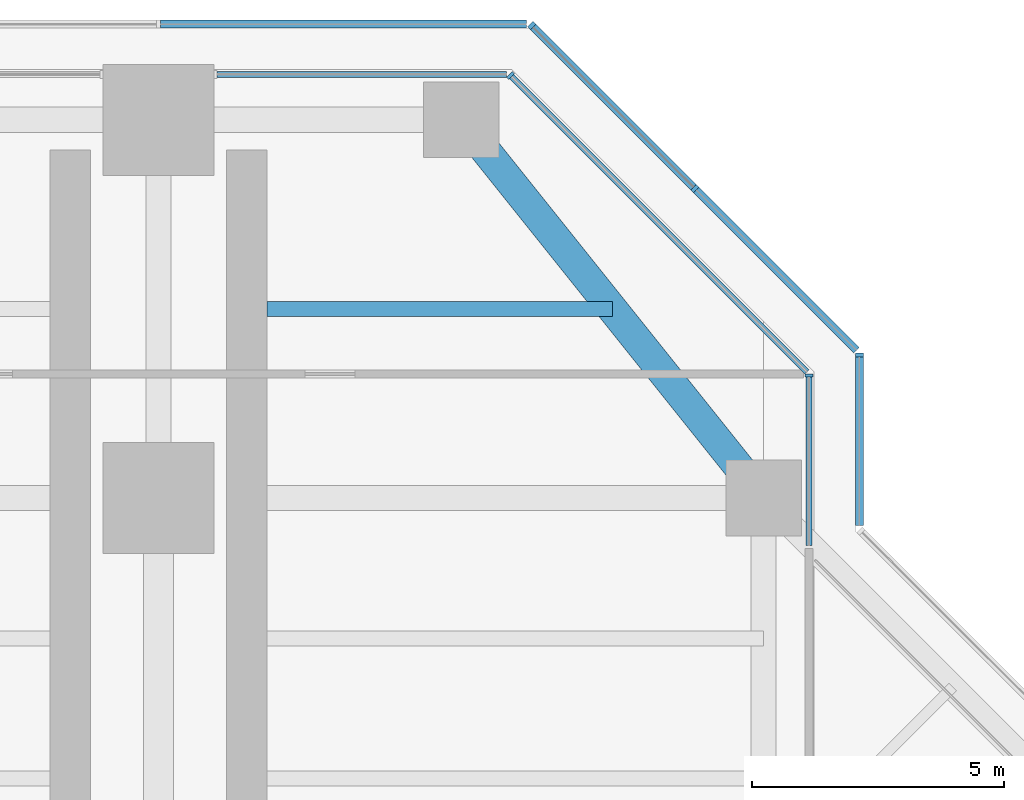
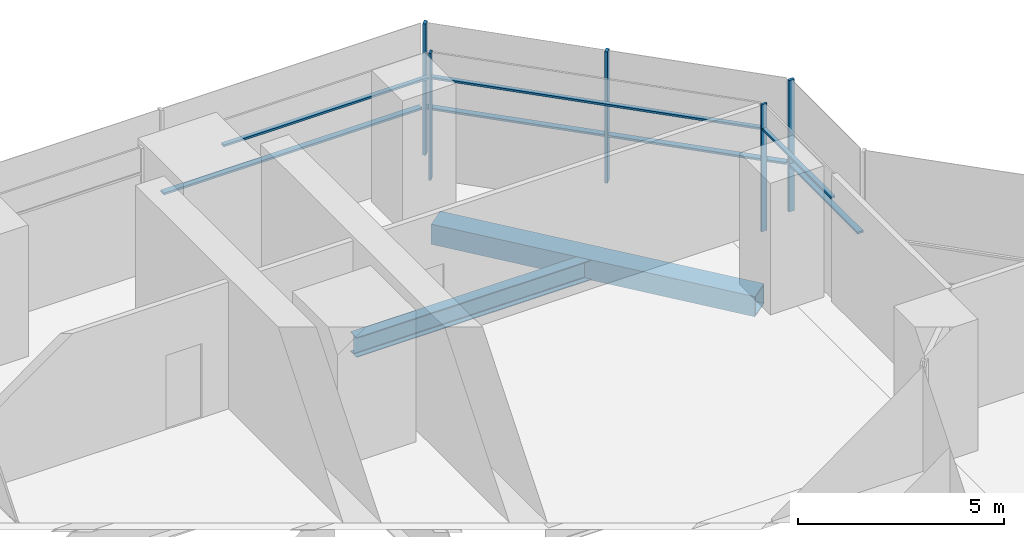
# One storey, part 9 of 17: 12 members, 2 beams, 6 elements without a shape of their own.
"""IFC4 building model written with IfcOpenShell, lengths in metres."""

from ifc_helpers import new_model, si_unit, direction, frame, origin, origin_2d, place, context, subcontext, project, spatial, rectangle, hollow_rectangle, i_section, extrude, material, material_profile, profile_set, type_object, element, aggregate, save


model = new_model("IFC4")

# Units and contexts
model_context = context("Model", 3, precision=1e-05, world=origin(), true_north=direction((0.0, 1.0)))
body_context = subcontext(model_context, "Body", "Model", "MODEL_VIEW")
ifc_project = project(units=[si_unit("LENGTHUNIT", "METRE"), si_unit("AREAUNIT", "SQUARE_METRE"), si_unit("VOLUMEUNIT", "CUBIC_METRE"), si_unit("PLANEANGLEUNIT", "RADIAN"), si_unit("MASSUNIT", "GRAM", prefix="KILO")], contexts=[model_context])

# Site, building, storey
site_placement = place(None, origin())
site = spatial("IfcSite", under=ifc_project, at=site_placement, CompositionType="ELEMENT")
building_placement = place(site_placement, origin())
building = spatial("IfcBuilding", under=site, at=building_placement, Name="Mizan Broadcast Tower", CompositionType="ELEMENT")
storey_placement = place(building_placement, frame((0.0, 0.0, 259.5)))
storey = spatial("IfcBuildingStorey", under=building, at=storey_placement, Name="L61", CompositionType="ELEMENT", Elevation=259.5)

# Beam
ifc_material_1 = material(Name="Steel S355", Category="steel")
ifc_material_profile_1 = material_profile(ifc_material_1, hollow_rectangle(XDim=0.60009765625, YDim=0.60009765625, WallThickness=0.030029296875, at=origin_2d()), Name="BOX 600x600x30")
ifc_profile_set_1 = profile_set([ifc_material_profile_1], Name="Steel S355")
beam_type_1 = type_object("IfcBeamType", Name="EDGE BEAM BOX 600x600x30", PredefinedType="SPANDREL", material=ifc_profile_set_1)
beam_1_placement = place(storey_placement, frame((11.639892578125, 19.949951171875, -0.429931640625), z_axis=(-0.624673911726, 0.780885717636, 0.0), x_axis=(-0.780885717636, -0.624673911726, 0.0)))
element("IfcBeam", 1, at=beam_1_placement, inside=storey, type_object=beam_type_1, Name="Edge beam BOX 600x600x30 L61 north arm", PredefinedType="SPANDREL", context=body_context, shape_type="SweptSolid", body=[
    extrude(hollow_rectangle(XDim=0.60009765625, YDim=0.60009765625, WallThickness=0.030029296875, at=origin_2d()), origin(), (0.0, 0.0, 1.0), 8.4521484375),
])

# Curtain wall, member
ifc_material_2 = material(Name="Aluminium framed glazing", Category="aluminium")
curtain_wall_type_1 = type_object("IfcCurtainWallType", Name="INNER SKIN HIGH ZONE", PredefinedType="USERDEFINED", material=ifc_material_2)
curtain_wall_1_placement = place(storey_placement, origin())
curtain_wall_1 = element("IfcCurtainWall", 2, at=curtain_wall_1_placement, inside=storey, type_object=curtain_wall_type_1, Name="Inner skin high zone L61 N side", ObjectType="INNER SKIN HIGH ZONE", PredefinedType="USERDEFINED")
ifc_material_3 = material(Name="Aluminium, pale anodised", Category="aluminium")
ifc_material_profile_2 = material_profile(ifc_material_3, rectangle(XDim=0.159912109375, YDim=0.06005859375, at=origin_2d()), Name="MULLION 160x60")
ifc_profile_set_2 = profile_set([ifc_material_profile_2], Name="Aluminium, pale anodised")
member_type_1 = type_object("IfcMemberType", Name="INNER SKIN MULLION 60x160", PredefinedType="MULLION", material=ifc_profile_set_2)
member_1_placement = place(storey_placement, frame((12.89990234375, 21.928466796875, 0.0), z_axis=(0.0, 0.0, 1.0), x_axis=(-1.0, 0.0, 0.0)))
member_1 = element("IfcMember", 3, at=member_1_placement, type_object=member_type_1, Name="Inner skin high zone L61 N side mullion 2", PredefinedType="MULLION", context=body_context, shape_type="SweptSolid", body=[
    extrude(rectangle(XDim=0.159912109375, YDim=0.06005859375, at=origin_2d()), origin(), (0.0, 0.0, 1.0), 3.77001953125),
])

curtain_wall_2_placement = place(storey_placement, origin())
curtain_wall_2 = element("IfcCurtainWall", 4, at=curtain_wall_2_placement, inside=storey, type_object=curtain_wall_type_1, Name="Inner skin high zone L61 N chamfer", ObjectType="INNER SKIN HIGH ZONE", PredefinedType="USERDEFINED")
member_2_placement = place(storey_placement, frame((6.979736328125, 27.87890625, 0.0), z_axis=(0.0, 0.0, 1.0), x_axis=(-0.707106781187, -0.707106781187, 0.0)))
member_2 = element("IfcMember", 5, at=member_2_placement, type_object=member_type_1, Name="Inner skin high zone L61 N chamfer mullion 2", PredefinedType="MULLION", context=body_context, shape_type="SweptSolid", body=[
    extrude(rectangle(XDim=0.159912109375, YDim=0.06005859375, at=origin_2d()), origin(), (0.0, 0.0, 1.0), 3.77001953125),
])

# Member
ifc_material_4 = material(Name="Aluminium, pale anodised", Category="aluminium")
ifc_material_profile_3 = material_profile(ifc_material_4, rectangle(XDim=0.1201171875, YDim=0.06005859375, at=origin_2d()), Name="TRANSOM 120x60")
ifc_profile_set_3 = profile_set([ifc_material_profile_3], Name="Aluminium, pale anodised")
member_type_2 = type_object("IfcMemberType", Name="INNER SKIN TRANSOM 60x120", PredefinedType="USERDEFINED", material=ifc_profile_set_3)
member_3_placement = place(storey_placement, frame((12.89990234375, 18.56005859375, 3.030029296875), z_axis=(0.0, 1.0, 0.0), x_axis=(-1.0, 0.0, 0.0)))
member_3 = element("IfcMember", 6, at=member_3_placement, type_object=member_type_2, Name="Inner skin high zone L61 N side transom 1.1", ObjectType="TRANSOM", PredefinedType="USERDEFINED", context=body_context, shape_type="SweptSolid", body=[
    extrude(rectangle(XDim=0.1201171875, YDim=0.06005859375, at=origin_2d()), origin(), (0.0, 0.0, 1.0), 3.338623046875),
])

aggregate(curtain_wall_1, [member_1, member_3])

member_4_placement = place(storey_placement, frame((12.857666015625, 22.0009765625, 3.030029296875), z_axis=(-0.707106781187, 0.707106781187, 0.0), x_axis=(-0.707106781187, -0.707106781187, 0.0)))
member_4 = element("IfcMember", 7, at=member_4_placement, type_object=member_type_2, Name="Inner skin high zone L61 N chamfer transom 1.1", ObjectType="TRANSOM", PredefinedType="USERDEFINED", context=body_context, shape_type="SweptSolid", body=[
    extrude(rectangle(XDim=0.1201171875, YDim=0.06005859375, at=origin_2d()), origin(), (0.0, 0.0, 1.0), 8.28271484375),
])

aggregate(curtain_wall_2, [member_2, member_4])

# Curtain wall, member
curtain_wall_3_placement = place(storey_placement, origin())
curtain_wall_3 = element("IfcCurtainWall", 8, at=curtain_wall_3_placement, inside=storey, type_object=curtain_wall_type_1, Name="Inner skin high zone L61 N end", ObjectType="INNER SKIN HIGH ZONE", PredefinedType="USERDEFINED")
member_5_placement = place(storey_placement, frame((6.898681640625, 27.89990234375, 3.030029296875), z_axis=(-1.0, 0.0, 0.0), x_axis=(0.0, -1.0, 0.0)))
member_5 = element("IfcMember", 9, at=member_5_placement, type_object=member_type_2, Name="Inner skin high zone L61 N end transom 1.1", ObjectType="TRANSOM", PredefinedType="USERDEFINED", context=body_context, shape_type="SweptSolid", body=[
    extrude(rectangle(XDim=0.1201171875, YDim=0.06005859375, at=origin_2d()), origin(), (0.0, 0.0, 1.0), 5.73876953125),
])
aggregate(curtain_wall_3, [member_5])

ifc_material_5 = material(Name="Aluminium framed glazing", Category="aluminium")
curtain_wall_type_2 = type_object("IfcCurtainWallType", Name="OUTER SKIN", PredefinedType="USERDEFINED", material=ifc_material_5)
curtain_wall_4_placement = place(storey_placement, origin())
curtain_wall_4 = element("IfcCurtainWall", 10, at=curtain_wall_4_placement, inside=storey, type_object=curtain_wall_type_2, Name="Outer skin L61 N side", ObjectType="OUTER SKIN", PredefinedType="USERDEFINED")
ifc_material_6 = material(Name="Aluminium, pale anodised", Category="aluminium")
ifc_material_profile_4 = material_profile(ifc_material_6, rectangle(XDim=0.159912109375, YDim=0.080078125, at=origin_2d()), Name="MULLION 160x80")
ifc_profile_set_4 = profile_set([ifc_material_profile_4], Name="Aluminium, pale anodised")
member_type_3 = type_object("IfcMemberType", Name="OUTER SKIN MULLION 80x160", PredefinedType="MULLION", material=ifc_profile_set_4)
member_6_placement = place(storey_placement, frame((13.89990234375, 22.332763671875, 0.0), z_axis=(0.0, 0.0, 1.0), x_axis=(-1.0, 0.0, 0.0)))
member_6 = element("IfcMember", 11, at=member_6_placement, type_object=member_type_3, Name="Outer skin L61 N side mullion 2", PredefinedType="MULLION", context=body_context, shape_type="SweptSolid", body=[
    extrude(rectangle(XDim=0.159912109375, YDim=0.080078125, at=origin_2d()), origin(), (0.0, 0.0, 1.0), 3.89990234375),
])

# Curtain wall, members
curtain_wall_5_placement = place(storey_placement, origin())
curtain_wall_5 = element("IfcCurtainWall", 12, at=curtain_wall_5_placement, inside=storey, type_object=curtain_wall_type_2, Name="Outer skin L61 N chamfer", ObjectType="OUTER SKIN", PredefinedType="USERDEFINED")
member_7_placement = place(storey_placement, frame((10.636474609375, 25.636474609375, 0.0), z_axis=(0.0, 0.0, 1.0), x_axis=(-0.707106781187, -0.707106781187, 0.0)))
member_7 = element("IfcMember", 13, at=member_7_placement, type_object=member_type_3, Name="Outer skin L61 N chamfer mullion 2", PredefinedType="MULLION", context=body_context, shape_type="SweptSolid", body=[
    extrude(rectangle(XDim=0.159912109375, YDim=0.080078125, at=origin_2d()), origin(), (0.0, 0.0, 1.0), 3.89990234375),
])
member_8_placement = place(storey_placement, frame((7.401123046875, 28.871826171875, 0.0), z_axis=(0.0, 0.0, 1.0), x_axis=(-0.707106781187, -0.707106781187, 0.0)))
member_8 = element("IfcMember", 14, at=member_8_placement, type_object=member_type_3, Name="Outer skin L61 N chamfer mullion 3", PredefinedType="MULLION", context=body_context, shape_type="SweptSolid", body=[
    extrude(rectangle(XDim=0.159912109375, YDim=0.080078125, at=origin_2d()), origin(), (0.0, 0.0, 1.0), 3.89990234375),
])

# Member
ifc_material_7 = material(Name="Aluminium, pale anodised", Category="aluminium")
ifc_material_profile_5 = material_profile(ifc_material_7, rectangle(XDim=0.159912109375, YDim=0.06005859375, at=origin_2d()), Name="TRANSOM 160x60")
ifc_profile_set_5 = profile_set([ifc_material_profile_5], Name="Aluminium, pale anodised")
member_type_4 = type_object("IfcMemberType", Name="OUTER SKIN TRANSOM 60x160", PredefinedType="USERDEFINED", material=ifc_profile_set_5)
member_9_placement = place(storey_placement, frame((13.89990234375, 18.952880859375, 1.39990234375), z_axis=(0.0, 1.0, 0.0), x_axis=(-1.0, 0.0, 0.0)))
member_9 = element("IfcMember", 15, at=member_9_placement, type_object=member_type_4, Name="Outer skin L61 N side transom 1.1", ObjectType="TRANSOM", PredefinedType="USERDEFINED", context=body_context, shape_type="SweptSolid", body=[
    extrude(rectangle(XDim=0.159912109375, YDim=0.06005859375, at=origin_2d()), origin(), (0.0, 0.0, 1.0), 3.33984375),
])

aggregate(curtain_wall_4, [member_6, member_9])

member_10_placement = place(storey_placement, frame((13.843505859375, 22.429443359375, 1.39990234375), z_axis=(-0.707106781187, 0.707106781187, 0.0), x_axis=(-0.707106781187, -0.707106781187, 0.0)))
member_10 = element("IfcMember", 16, at=member_10_placement, type_object=member_type_4, Name="Outer skin L61 N chamfer transom 1.1", ObjectType="TRANSOM", PredefinedType="USERDEFINED", context=body_context, shape_type="SweptSolid", body=[
    extrude(rectangle(XDim=0.159912109375, YDim=0.06005859375, at=origin_2d()), origin(), (0.0, 0.0, 1.0), 4.495361328125),
])

member_11_placement = place(storey_placement, frame((10.608154296875, 25.664794921875, 1.39990234375), z_axis=(-0.707106781187, 0.707106781187, 0.0), x_axis=(-0.707106781187, -0.707106781187, 0.0)))
member_11 = element("IfcMember", 17, at=member_11_placement, type_object=member_type_4, Name="Outer skin L61 N chamfer transom 2.1", ObjectType="TRANSOM", PredefinedType="USERDEFINED", context=body_context, shape_type="SweptSolid", body=[
    extrude(rectangle(XDim=0.159912109375, YDim=0.06005859375, at=origin_2d()), origin(), (0.0, 0.0, 1.0), 4.495361328125),
])

aggregate(curtain_wall_5, [member_7, member_8, member_10, member_11])

# Curtain wall, member
curtain_wall_6_placement = place(storey_placement, origin())
curtain_wall_6 = element("IfcCurtainWall", 18, at=curtain_wall_6_placement, inside=storey, type_object=curtain_wall_type_2, Name="Outer skin L61 N end", ObjectType="OUTER SKIN", PredefinedType="USERDEFINED")
member_12_placement = place(storey_placement, frame((7.292724609375, 28.89990234375, 1.39990234375), z_axis=(-1.0, 0.0, 0.0), x_axis=(0.0, -1.0, 0.0)))
member_12 = element("IfcMember", 19, at=member_12_placement, type_object=member_type_4, Name="Outer skin L61 N end transom 1.1", ObjectType="TRANSOM", PredefinedType="USERDEFINED", context=body_context, shape_type="SweptSolid", body=[
    extrude(rectangle(XDim=0.159912109375, YDim=0.06005859375, at=origin_2d()), origin(), (0.0, 0.0, 1.0), 7.252685546875),
])
aggregate(curtain_wall_6, [member_12])

# Beam
ifc_material_8 = material(Name="Steel S355", Category="steel")
ifc_material_profile_6 = material_profile(ifc_material_8, i_section(OverallWidth=0.300048828125, OverallDepth=0.590087890625, WebThickness=0.012939453125, FlangeThickness=0.02490234375, FilletRadius=0.027099609375, at=origin_2d()), Name="HEA 600")
ifc_profile_set_6 = profile_set([ifc_material_profile_6], Name="Steel S355")
beam_type_2 = type_object("IfcBeamType", Name="SECONDARY BEAM HEA 600", PredefinedType="JOIST", material=ifc_profile_set_6)
beam_2_placement = place(storey_placement, frame((9.0, 23.25, -0.425048828125), z_axis=(-1.0, 0.0, 0.0), x_axis=(0.0, -1.0, 0.0)))
element("IfcBeam", 20, at=beam_2_placement, inside=storey, type_object=beam_type_2, Name="Secondary beam HEA 600 L61 north arm", PredefinedType="JOIST", context=body_context, shape_type="SweptSolid", body=[
    extrude(i_section(OverallWidth=0.300048828125, OverallDepth=0.590087890625, WebThickness=0.012939453125, FlangeThickness=0.02490234375, FilletRadius=0.027099609375, at=origin_2d()), origin(), (0.0, 0.0, 1.0), 6.85009765625),
])

save(model, "model.ifc")
